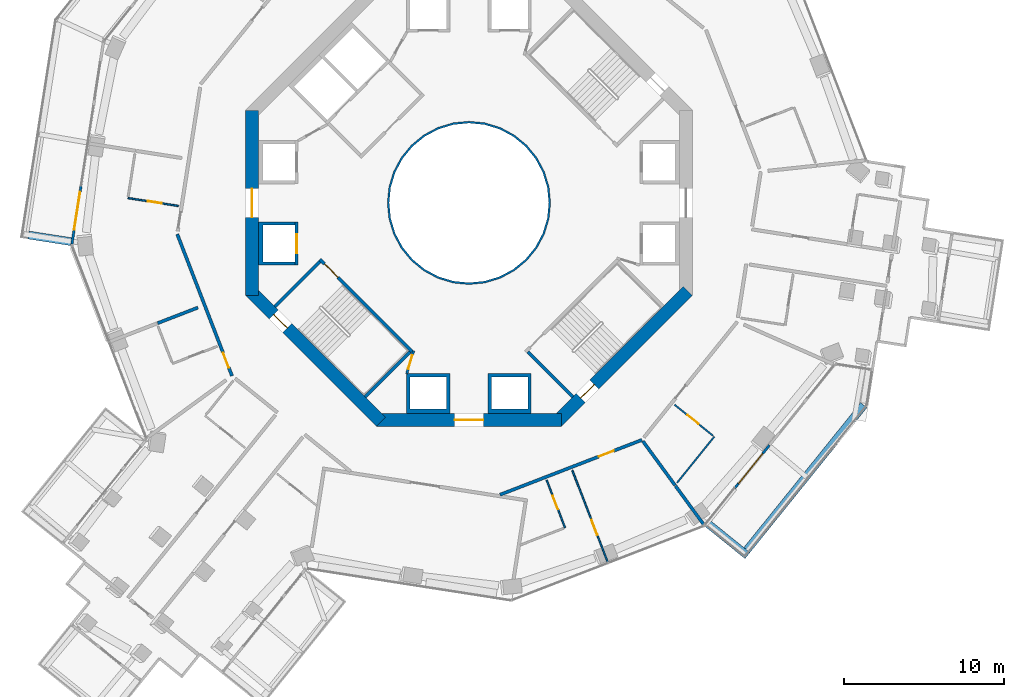
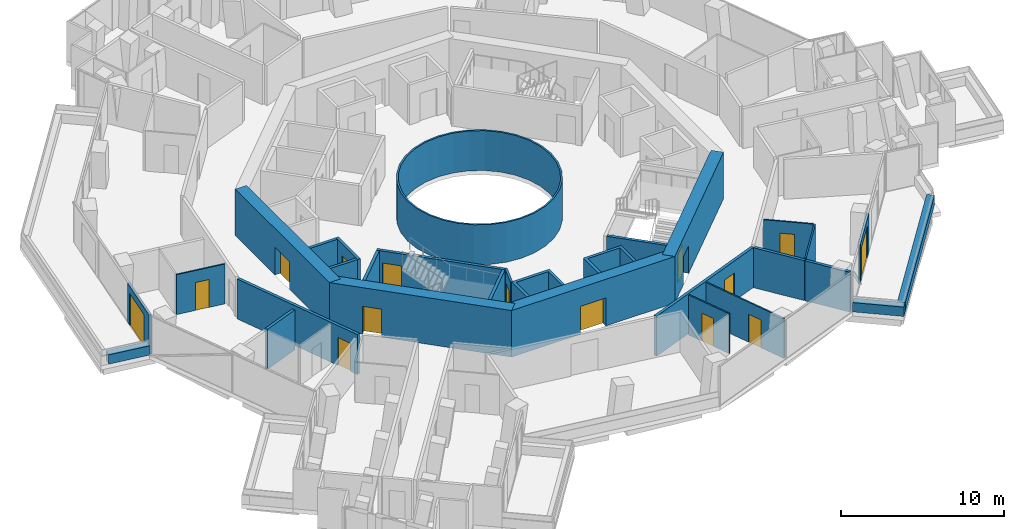
# One storey, part 16 of 23: 29 walls, 15 doors, 15 openings.
"""IFC4 building model written with IfcOpenShell, lengths in metres."""

from ifc_helpers import new_model, si_unit, direction, frame, frame_2d, origin, place, context, subcontext, project, spatial, polyline, rectangle, outline, extrude, material, layer, layer_set, type_object, element, fill, save


model = new_model("IFC4")

# Units and contexts
model_context = context("Model", 3, precision=1e-05, world=origin(), true_north=direction((0.0, 1.0)))
body_context = subcontext(model_context, "Body", "Model", "MODEL_VIEW")
ifc_project = project(units=[si_unit("LENGTHUNIT", "METRE"), si_unit("AREAUNIT", "SQUARE_METRE"), si_unit("VOLUMEUNIT", "CUBIC_METRE"), si_unit("PLANEANGLEUNIT", "RADIAN"), si_unit("MASSUNIT", "GRAM", prefix="KILO")], contexts=[model_context])

# Site, building, storey
site_placement = place(None, origin())
site = spatial("IfcSite", under=ifc_project, at=site_placement, CompositionType="ELEMENT")
building_placement = place(site_placement, origin())
building = spatial("IfcBuilding", under=site, at=building_placement, Name="Verdalira Terraces Hotel", CompositionType="ELEMENT")
storey_placement = place(building_placement, frame((0.0, 0.0, 118.5)))
storey = spatial("IfcBuildingStorey", under=building, at=storey_placement, Name="L28", CompositionType="ELEMENT", Elevation=118.5)

# Walls
ifc_material_1 = material(Name="Fire-resisting glass EI 180", Category="glass")
ifc_layer_1 = layer(ifc_material_1, 0.1201171875)
ifc_layer_set_1 = layer_set([ifc_layer_1], Name="Atrium fire screen 120 mm")
wall_type_1 = type_object("IfcWallType", Name="Atrium fire screen 120 mm", PredefinedType="SOLIDWALL", material=ifc_layer_set_1)
wall_1_placement = place(storey_placement, origin())
element("IfcWall", 1, at=wall_1_placement, inside=storey, type_object=wall_type_1, Name="Atrium fire screen", PredefinedType="SOLIDWALL", context=body_context, shape_type="SweptSolid", body=[
    extrude(outline(polyline([(5.021484, -0.998779), (4.730225, -1.959229), (4.25708, -2.844482), (3.620361, -3.620361), (2.844482, -4.25708), (1.959229, -4.730225), (0.998779, -5.021484), (0.0, -5.120117), (-0.998779, -5.021484), (-1.959229, -4.730225), (-2.844482, -4.25708), (-3.620361, -3.620361), (-4.25708, -2.844482), (-4.730225, -1.959229), (-5.021484, -0.998779), (-5.120117, 0.0), (-5.021484, 0.998779), (-4.730225, 1.959229), (-4.25708, 2.844482), (-3.620361, 3.620361), (-2.844482, 4.25708), (-1.959229, 4.730225), (-0.998779, 5.021484), (0.0, 5.120117), (0.998779, 5.021484), (1.959229, 4.730225), (2.844482, 4.25708), (3.620361, 3.620361), (4.25708, 2.844482), (4.730225, 1.959229), (5.021484, 0.998779), (5.120117, 0.0), (5.021484, -0.998779)]), holes=[polyline([(4.903809, 0.975586), (4.619385, 1.91333), (4.157227, 2.777832), (3.5354, 3.5354), (2.777832, 4.157227), (1.91333, 4.619385), (0.975586, 4.903809), (0.0, 5.0), (-0.975586, 4.903809), (-1.91333, 4.619385), (-2.777832, 4.157227), (-3.5354, 3.5354), (-4.157227, 2.777832), (-4.619385, 1.91333), (-4.903809, 0.975586), (-5.0, 0.0), (-4.903809, -0.975586), (-4.619385, -1.91333), (-4.157227, -2.777832), (-3.5354, -3.5354), (-2.777832, -4.157227), (-1.91333, -4.619385), (-0.975586, -4.903809), (0.0, -5.0), (0.975586, -4.903809), (1.91333, -4.619385), (2.777832, -4.157227), (3.5354, -3.5354), (4.157227, -2.777832), (4.619385, -1.91333), (4.903809, -0.975586), (5.0, 0.0), (4.903809, 0.975586)])]), origin(), (0.0, 0.0, 1.0), 3.0),
])
ifc_material_2 = material(Name="Concrete C40", Category="concrete")
ifc_layer_2 = layer(ifc_material_2, 0.5)
ifc_layer_set_2 = layer_set([ifc_layer_2], Name="Balcony planter trough with tree")
wall_type_2 = type_object("IfcWallType", Name="Balcony planter trough with tree", PredefinedType="SOLIDWALL", material=ifc_layer_set_2)
wall_2_placement = place(storey_placement, frame((-27.600098, -2.013672, 0.0), z_axis=(0.0, 0.0, 1.0), x_axis=(0.988021948, -0.154313416, 0.0)))
element("IfcWall", 2, at=wall_2_placement, inside=storey, type_object=wall_type_2, Name="Balcony planter", PredefinedType="SOLIDWALL", context=body_context, shape_type="SweptSolid", body=[
    extrude(rectangle(XDim=2.698975, YDim=0.5, at=frame_2d((1.349609, 0.0))), origin(), (0.0, 0.0, 1.0), 0.699951),
])
wall_3_placement = place(storey_placement, frame((14.961914, -20.092773, 0.0), z_axis=(0.0, 0.0, 1.0), x_axis=(0.778443113, -0.627715158, 0.0)))
element("IfcWall", 3, at=wall_3_placement, inside=storey, type_object=wall_type_2, Name="Balcony planter", PredefinedType="SOLIDWALL", context=body_context, shape_type="SweptSolid", body=[
    extrude(rectangle(XDim=3.198975, YDim=0.5, at=frame_2d((1.599609, 0.0))), origin(), (0.0, 0.0, 1.0), 0.699951),
])
wall_4_placement = place(storey_placement, frame((17.414551, -21.749268, 0.0), z_axis=(0.0, 0.0, 1.0), x_axis=(0.627680422, 0.778471122, 0.0)))
element("IfcWall", 4, at=wall_4_placement, inside=storey, type_object=wall_type_2, Name="Balcony planter", PredefinedType="SOLIDWALL", context=body_context, shape_type="SweptSolid", body=[
    extrude(rectangle(XDim=11.660645, YDim=0.5, at=frame_2d((5.830322, 0.0))), origin(), (0.0, 0.0, 1.0), 0.699951),
])

# Wall, opening, door
ifc_material_3 = material(Name="Moisture-resistant gypsum board partition")
ifc_layer_3 = layer(ifc_material_3, 0.10009765625)
ifc_layer_set_3 = layer_set([ifc_layer_3], Name="Bathroom partition 100 mm")
wall_type_3 = type_object("IfcWallType", Name="Bathroom partition 100 mm", PredefinedType="PARTITIONING", material=ifc_layer_set_3)
wall_5_placement = place(storey_placement, frame((-21.36792, 0.302002, 0.0), z_axis=(0.0, 0.0, 1.0), x_axis=(0.988017124, -0.154344297, 0.0)))
wall_5 = element("IfcWall", 5, at=wall_5_placement, inside=storey, type_object=wall_type_3, Name="Bathroom partition", PredefinedType="PARTITIONING", context=body_context, shape_type="SweptSolid", body=[
    extrude(rectangle(XDim=3.199951, YDim=0.100098, at=frame_2d((1.600098, 0.0))), origin(), (0.0, 0.0, 1.0), 3.0),
])
opening_1_placement = place(wall_5_placement, frame((1.25, 0.0, 0.0)))
opening_1 = element("IfcOpeningElement", 6, at=opening_1_placement, cuts=wall_5, Name="Opening L28-109", PredefinedType="OPENING", context=body_context, shape_type="SweptSolid", body=[
    extrude(rectangle(XDim=0.899902, YDim=2.100098, at=frame_2d((0.449951, 1.050049))), frame((0.0, 0.060059, 0.0), z_axis=(0.0, -1.0, 0.0), x_axis=(1.0, 0.0, 0.0)), (0.0, 0.0, 1.0), 0.120117),
])
ifc_material_4 = material(Name="Timber door", Category="wood")
door_type_1 = type_object("IfcDoorType", Name="Bathroom door 900 x 2100", OperationType="NOTDEFINED", PredefinedType="DOOR", material=ifc_material_4)
door_1_placement = place(opening_1_placement, origin())
door_1 = element("IfcDoor", 7, at=door_1_placement, inside=storey, type_object=door_type_1, Name="Bathroom door 2804", OperationType="SINGLE_SWING_LEFT", OverallHeight=2.10009765625, OverallWidth=0.89990234375, PredefinedType="DOOR", context=body_context, shape_type="SweptSolid", body=[
    extrude(rectangle(XDim=0.899902, YDim=2.100098, at=frame_2d((0.449951, 1.050049))), frame((0.0, 0.024902, 0.0), z_axis=(0.0, -1.0, 0.0), x_axis=(1.0, 0.0, 0.0)), (0.0, 0.0, 1.0), 0.050049),
])
fill(opening_1, door_1)

wall_6_placement = place(storey_placement, frame((6.020996, -20.356201, 0.0), z_axis=(0.0, 0.0, 1.0), x_axis=(-0.360328369, 0.932825528, 0.0)))
wall_6 = element("IfcWall", 8, at=wall_6_placement, inside=storey, type_object=wall_type_3, Name="Bathroom partition", PredefinedType="PARTITIONING", context=body_context, shape_type="SweptSolid", body=[
    extrude(rectangle(XDim=3.199951, YDim=0.100098, at=frame_2d((1.600098, 0.0))), origin(), (0.0, 0.0, 1.0), 3.0),
])
opening_2_placement = place(wall_6_placement, frame((1.25, 0.0, 0.0)))
opening_2 = element("IfcOpeningElement", 9, at=opening_2_placement, cuts=wall_6, Name="Opening L28-119", PredefinedType="OPENING", context=body_context, shape_type="SweptSolid", body=[
    extrude(rectangle(XDim=0.899902, YDim=2.100098, at=frame_2d((0.449951, 1.050049))), frame((0.0, 0.060059, 0.0), z_axis=(0.0, -1.0, 0.0), x_axis=(1.0, 0.0, 0.0)), (0.0, 0.0, 1.0), 0.120117),
])
door_2_placement = place(opening_2_placement, origin())
door_2 = element("IfcDoor", 10, at=door_2_placement, inside=storey, type_object=door_type_1, Name="Bathroom door 2809", OperationType="SINGLE_SWING_LEFT", OverallHeight=2.10009765625, OverallWidth=0.89990234375, PredefinedType="DOOR", context=body_context, shape_type="SweptSolid", body=[
    extrude(rectangle(XDim=0.899902, YDim=2.100098, at=frame_2d((0.449951, 1.050049))), frame((0.0, 0.024902, 0.0), z_axis=(0.0, -1.0, 0.0), x_axis=(1.0, 0.0, 0.0)), (0.0, 0.0, 1.0), 0.050049),
])
fill(opening_2, door_2)

wall_7_placement = place(storey_placement, frame((8.686768, -22.489014, 0.0), z_axis=(0.0, 0.0, 1.0), x_axis=(-0.360324702, 0.932826945, 0.0)))
wall_7 = element("IfcWall", 11, at=wall_7_placement, inside=storey, type_object=wall_type_3, Name="Bathroom partition", PredefinedType="PARTITIONING", context=body_context, shape_type="SweptSolid", body=[
    extrude(rectangle(XDim=6.150146, YDim=0.100098, at=frame_2d((3.075195, 0.0))), origin(), (0.0, 0.0, 1.0), 3.0),
])
opening_3_placement = place(wall_7_placement, frame((1.800049, 0.0, 0.0)))
opening_3 = element("IfcOpeningElement", 12, at=opening_3_placement, cuts=wall_7, Name="Opening L28-118", PredefinedType="OPENING", context=body_context, shape_type="SweptSolid", body=[
    extrude(rectangle(XDim=1.0, YDim=2.100098, at=frame_2d((0.5, 1.050049))), frame((0.0, 0.060059, 0.0), z_axis=(0.0, -1.0, 0.0), x_axis=(1.0, 0.0, 0.0)), (0.0, 0.0, 1.0), 0.120117),
])
ifc_material_5 = material(Name="Timber door", Category="wood")
door_type_2 = type_object("IfcDoorType", Name="Suite internal door 1000 x 2100", OperationType="NOTDEFINED", PredefinedType="DOOR", material=ifc_material_5)
door_3_placement = place(opening_3_placement, origin())
door_3 = element("IfcDoor", 13, at=door_3_placement, inside=storey, type_object=door_type_2, Name="Suite internal door 2809", OperationType="SINGLE_SWING_LEFT", OverallHeight=2.10009765625, OverallWidth=1.0, PredefinedType="DOOR", context=body_context, shape_type="SweptSolid", body=[
    extrude(rectangle(XDim=1.0, YDim=2.100098, at=frame_2d((0.5, 1.050049))), frame((0.0, 0.024902, 0.0), z_axis=(0.0, -1.0, 0.0), x_axis=(1.0, 0.0, 0.0)), (0.0, 0.0, 1.0), 0.050049),
])
fill(opening_3, door_3)

wall_8_placement = place(storey_placement, frame((15.289307, -14.586914, 0.0), z_axis=(0.0, 0.0, 1.0), x_axis=(-0.778450282, 0.627706268, 0.0)))
wall_8 = element("IfcWall", 14, at=wall_8_placement, inside=storey, type_object=wall_type_3, Name="Bathroom partition", PredefinedType="PARTITIONING", context=body_context, shape_type="SweptSolid", body=[
    extrude(rectangle(XDim=3.099854, YDim=0.100098, at=frame_2d((1.549805, 0.0))), origin(), (0.0, 0.0, 1.0), 3.0),
])
opening_4_placement = place(wall_8_placement, frame((1.149902, 0.0, 0.0)))
opening_4 = element("IfcOpeningElement", 15, at=opening_4_placement, cuts=wall_8, Name="Opening L28-121", PredefinedType="OPENING", context=body_context, shape_type="SweptSolid", body=[
    extrude(rectangle(XDim=0.899902, YDim=2.100098, at=frame_2d((0.449951, 1.050049))), frame((0.0, 0.060059, 0.0), z_axis=(0.0, -1.0, 0.0), x_axis=(1.0, 0.0, 0.0)), (0.0, 0.0, 1.0), 0.120117),
])
door_4_placement = place(opening_4_placement, origin())
door_4 = element("IfcDoor", 16, at=door_4_placement, inside=storey, type_object=door_type_1, Name="Bathroom door 2810", OperationType="SINGLE_SWING_LEFT", OverallHeight=2.10009765625, OverallWidth=0.89990234375, PredefinedType="DOOR", context=body_context, shape_type="SweptSolid", body=[
    extrude(rectangle(XDim=0.899902, YDim=2.100098, at=frame_2d((0.449951, 1.050049))), frame((0.0, 0.024902, 0.0), z_axis=(0.0, -1.0, 0.0), x_axis=(1.0, 0.0, 0.0)), (0.0, 0.0, 1.0), 0.050049),
])
fill(opening_4, door_4)

# Walls
wall_9_placement = place(storey_placement, frame((15.367188, -14.649658, 0.0), z_axis=(0.0, 0.0, 1.0), x_axis=(-0.627672573, -0.778477451, 0.0)))
element("IfcWall", 17, at=wall_9_placement, inside=storey, type_object=wall_type_3, Name="Bathroom partition", PredefinedType="PARTITIONING", context=body_context, shape_type="SweptSolid", body=[
    extrude(rectangle(XDim=3.704102, YDim=0.100098, at=frame_2d((1.852051, 0.0))), origin(), (0.0, 0.0, 1.0), 3.0),
])
ifc_material_6 = material(Name="Concrete C50", Category="concrete")
ifc_layer_4 = layer(ifc_material_6, 0.199951171875)
ifc_layer_set_4 = layer_set([ifc_layer_4], Name="Core RC wall 200 C50")
wall_type_4 = type_object("IfcWallType", Name="Core RC wall 200 C50", PredefinedType="SOLIDWALL", material=ifc_layer_set_4)
wall_10_placement = place(storey_placement, origin())
element("IfcWall", 18, at=wall_10_placement, inside=storey, type_object=wall_type_4, Name="L28 shaft wall W2", PredefinedType="SOLIDWALL", context=body_context, shape_type="SweptSolid", body=[
    extrude(outline(polyline([(-13.199951, -3.899902), (-13.199951, -1.199951), (-10.899902, -1.199951), (-10.899902, -1.399902), (-12.899902, -1.399902), (-12.899902, -3.699951), (-10.899902, -3.699951), (-10.899902, -3.899902), (-13.199951, -3.899902)])), origin(), (0.0, 0.0, 1.0), 3.0),
])

# Wall, opening, door
wall_11_placement = place(storey_placement, frame((-10.800049, -1.199951, 0.0), z_axis=(0.0, 0.0, 1.0), x_axis=(0.0, -1.0, 0.0)))
wall_11 = element("IfcWall", 19, at=wall_11_placement, inside=storey, type_object=wall_type_4, Name="L28 shaft front wall W2", PredefinedType="SOLIDWALL", context=body_context, shape_type="SweptSolid", body=[
    extrude(rectangle(XDim=2.699951, YDim=0.199951, at=frame_2d((1.350098, 0.0))), origin(), (0.0, 0.0, 1.0), 3.0),
])
opening_5_placement = place(wall_11_placement, frame((0.75, 0.0, 0.0)))
opening_5 = element("IfcOpeningElement", 20, at=opening_5_placement, cuts=wall_11, Name="Opening LD-L28-806", PredefinedType="OPENING", context=body_context, shape_type="SweptSolid", body=[
    extrude(rectangle(XDim=1.199951, YDim=2.100098, at=frame_2d((0.600098, 1.050049))), frame((0.0, 0.109863, 0.0), z_axis=(0.0, -1.0, 0.0), x_axis=(1.0, 0.0, 0.0)), (0.0, 0.0, 1.0), 0.219971),
])
ifc_material_7 = material(Name="Stainless steel", Category="steel")
door_type_3 = type_object("IfcDoorType", Name="Landing door 1200 x 2100", OperationType="NOTDEFINED", PredefinedType="DOOR", material=ifc_material_7)
door_5_placement = place(opening_5_placement, origin())
door_5 = element("IfcDoor", 21, at=door_5_placement, inside=storey, type_object=door_type_3, Name="Lift landing door LR6 L28", OperationType="DOUBLE_DOOR_SLIDING", OverallHeight=2.10009765625, OverallWidth=1.199951171875, PredefinedType="DOOR", context=body_context, shape_type="SweptSolid", body=[
    extrude(rectangle(XDim=1.199951, YDim=2.100098, at=frame_2d((0.600098, 1.050049))), frame((0.0, 0.024902, 0.0), z_axis=(0.0, -1.0, 0.0), x_axis=(1.0, 0.0, 0.0)), (0.0, 0.0, 1.0), 0.050049),
])
fill(opening_5, door_5)

# Walls
wall_12_placement = place(storey_placement, origin())
element("IfcWall", 22, at=wall_12_placement, inside=storey, type_object=wall_type_4, Name="L28 shaft wall S1", PredefinedType="SOLIDWALL", context=body_context, shape_type="SweptSolid", body=[
    extrude(outline(polyline([(-1.199951, -13.199951), (-3.899902, -13.199951), (-3.899902, -10.699951), (-1.199951, -10.699951), (-1.199951, -13.199951)]), holes=[polyline([(-3.699951, -10.899902), (-3.699951, -12.899902), (-1.399902, -12.899902), (-1.399902, -10.899902), (-3.699951, -10.899902)])]), origin(), (0.0, 0.0, 1.0), 3.0),
])
wall_13_placement = place(storey_placement, origin())
element("IfcWall", 23, at=wall_13_placement, inside=storey, type_object=wall_type_4, Name="L28 shaft wall S2", PredefinedType="SOLIDWALL", context=body_context, shape_type="SweptSolid", body=[
    extrude(outline(polyline([(3.899902, -10.699951), (3.899902, -13.199951), (1.199951, -13.199951), (1.199951, -10.699951), (3.899902, -10.699951)]), holes=[polyline([(1.399902, -12.899902), (3.699951, -12.899902), (3.699951, -10.899902), (1.399902, -10.899902), (1.399902, -12.899902)])]), origin(), (0.0, 0.0, 1.0), 3.0),
])

# Wall, opening, door
wall_14_placement = place(storey_placement, frame((-3.5354, -9.33374, 0.0), z_axis=(0.0, 0.0, 1.0), x_axis=(-0.707106781, 0.707106781, 0.0)))
wall_14 = element("IfcWall", 24, at=wall_14_placement, inside=storey, type_object=wall_type_4, Name="L28 stair ST2 front wall", PredefinedType="SOLIDWALL", context=body_context, shape_type="SweptSolid", body=[
    extrude(rectangle(XDim=8.200195, YDim=0.199951, at=frame_2d((4.100098, 0.0))), origin(), (0.0, 0.0, 1.0), 3.0),
])
opening_6_placement = place(wall_14_placement, frame((6.600098, 0.0, 0.0)))
opening_6 = element("IfcOpeningElement", 25, at=opening_6_placement, cuts=wall_14, Name="Opening L28-810", PredefinedType="OPENING", context=body_context, shape_type="SweptSolid", body=[
    extrude(rectangle(XDim=1.199951, YDim=2.100098, at=frame_2d((0.600098, 1.050049))), frame((0.0, 0.109863, 0.0), z_axis=(0.0, -1.0, 0.0), x_axis=(1.0, 0.0, 0.0)), (0.0, 0.0, 1.0), 0.219971),
])
ifc_material_8 = material(Name="Steel fire door", Category="steel")
door_type_4 = type_object("IfcDoorType", Name="Stair door 1200 x 2100", OperationType="NOTDEFINED", PredefinedType="DOOR", material=ifc_material_8)
door_6_placement = place(opening_6_placement, origin())
door_6 = element("IfcDoor", 26, at=door_6_placement, inside=storey, type_object=door_type_4, Name="Stair door ST2 L28", OperationType="SINGLE_SWING_RIGHT", OverallHeight=2.10009765625, OverallWidth=1.199951171875, PredefinedType="DOOR", context=body_context, shape_type="SweptSolid", body=[
    extrude(rectangle(XDim=1.199951, YDim=2.100098, at=frame_2d((0.600098, 1.050049))), frame((0.0, 0.024902, 0.0), z_axis=(0.0, -1.0, 0.0), x_axis=(1.0, 0.0, 0.0)), (0.0, 0.0, 1.0), 0.050049),
])
fill(opening_6, door_6)

# Walls
for number, where, z_axis, x_axis, name in (
    (27, (-9.33374, -3.677002, 0.0), (0.0, 0.0, 1.0), (-0.707106781, -0.707106781, 0.0), "L28 stair ST2 end wall 1"),
    (28, (-3.677002, -9.33374, 0.0), (0.0, 0.0, 1.0), (-0.707106781, -0.707106781, 0.0), "L28 stair ST2 end wall 2"),
    (29, (3.677002, -9.33374, 0.0), (0.0, 0.0, 1.0), (0.707106781, -0.707106781, 0.0), "L28 stair ST3 end wall 1"),
):
    element("IfcWall", number, at=place(storey_placement, frame(where, z_axis=z_axis, x_axis=x_axis)), inside=storey, type_object=wall_type_4, Name=name, PredefinedType="SOLIDWALL", context=body_context, shape_type="SweptSolid", body=[
        extrude(rectangle(XDim=4.0, YDim=0.199951, at=frame_2d((2.0, 0.0))), origin(), (0.0, 0.0, 1.0), 3.0),
    ])

# Wall, opening, door
ifc_material_9 = material(Name="Gypsum board partition")
ifc_layer_5 = layer(ifc_material_9, 0.14990234375)
ifc_layer_set_5 = layer_set([ifc_layer_5], Name="Core partition 150 mm")
wall_type_5 = type_object("IfcWallType", Name="Core partition 150 mm", PredefinedType="PARTITIONING", material=ifc_layer_set_5)
wall_15_placement = place(storey_placement, frame((-3.464844, -9.263184, 0.0), z_axis=(0.0, 0.0, 1.0), x_axis=(-0.289808785, -0.957084567, 0.0)))
wall_15 = element("IfcWall", 30, at=wall_15_placement, inside=storey, type_object=wall_type_5, Name="Room partition L28", PredefinedType="PARTITIONING", context=body_context, shape_type="SweptSolid", body=[
    extrude(rectangle(XDim=1.501221, YDim=0.149902, at=frame_2d((0.750488, 0.0))), origin(), (0.0, 0.0, 1.0), 3.0),
])
opening_7_placement = place(wall_15_placement, frame((0.300781, 0.0, 0.0)))
opening_7 = element("IfcOpeningElement", 31, at=opening_7_placement, cuts=wall_15, Name="Opening L28-823", PredefinedType="OPENING", context=body_context, shape_type="SweptSolid", body=[
    extrude(rectangle(XDim=0.899902, YDim=2.100098, at=frame_2d((0.449951, 1.050049))), frame((0.0, 0.084961, 0.0), z_axis=(0.0, -1.0, 0.0), x_axis=(1.0, 0.0, 0.0)), (0.0, 0.0, 1.0), 0.169922),
])
ifc_material_10 = material(Name="Steel fire door", Category="steel")
door_type_5 = type_object("IfcDoorType", Name="Core room door 900 x 2100", OperationType="NOTDEFINED", PredefinedType="DOOR", material=ifc_material_10)
door_7_placement = place(opening_7_placement, origin())
door_7 = element("IfcDoor", 32, at=door_7_placement, inside=storey, type_object=door_type_5, Name="Door L28 room5", OperationType="SINGLE_SWING_LEFT", OverallHeight=2.10009765625, OverallWidth=0.89990234375, PredefinedType="DOOR", context=body_context, shape_type="SweptSolid", body=[
    extrude(rectangle(XDim=0.899902, YDim=2.100098, at=frame_2d((0.449951, 1.050049))), frame((0.0, 0.024902, 0.0), z_axis=(0.0, -1.0, 0.0), x_axis=(1.0, 0.0, 0.0)), (0.0, 0.0, 1.0), 0.050049),
])
fill(opening_7, door_7)

ifc_material_11 = material(Name="Concrete C70", Category="concrete")
ifc_layer_6 = layer(ifc_material_11, 0.800048828125)
ifc_layer_set_6 = layer_set([ifc_layer_6], Name="Core wall 800 C70")
wall_type_6 = type_object("IfcWallType", Name="Core wall 800 C70", PredefinedType="SHEAR", material=ifc_layer_set_6)
wall_16_placement = place(storey_placement, frame((-13.600098, 5.799072, 0.0), z_axis=(0.0, 0.0, 1.0), x_axis=(0.0, -1.0, 0.0)))
wall_16 = element("IfcWall", 33, at=wall_16_placement, inside=storey, type_object=wall_type_6, Name="Core wall CW-L28-5", PredefinedType="SHEAR", context=body_context, shape_type="SweptSolid", body=[
    extrude(rectangle(XDim=11.598145, YDim=0.800049, at=frame_2d((5.799072, 0.0))), origin(), (0.0, 0.0, 1.0), 3.5),
])
opening_8_placement = place(wall_16_placement, frame((4.898926, 0.0, 0.0)))
opening_8 = element("IfcOpeningElement", 34, at=opening_8_placement, cuts=wall_16, Name="Opening L28-814", PredefinedType="OPENING", context=body_context, shape_type="SweptSolid", body=[
    extrude(rectangle(XDim=1.800049, YDim=2.100098, at=frame_2d((0.899902, 1.050049))), frame((0.0, 0.409912, 0.0), z_axis=(0.0, -1.0, 0.0), x_axis=(1.0, 0.0, 0.0)), (0.0, 0.0, 1.0), 0.820068),
])
ifc_material_12 = material(Name="Steel fire door", Category="steel")
door_type_6 = type_object("IfcDoorType", Name="Core entry door pair 1800 x 2100", OperationType="NOTDEFINED", PredefinedType="DOOR", material=ifc_material_12)
door_8_placement = place(opening_8_placement, origin())
door_8 = element("IfcDoor", 35, at=door_8_placement, inside=storey, type_object=door_type_6, Name="Core entry door L28 4", OperationType="DOUBLE_DOOR_SINGLE_SWING", OverallHeight=2.10009765625, OverallWidth=1.800048828125, PredefinedType="DOOR", context=body_context, shape_type="SweptSolid", body=[
    extrude(rectangle(XDim=1.800049, YDim=2.100098, at=frame_2d((0.899902, 1.050049))), frame((0.0, 0.024902, 0.0), z_axis=(0.0, -1.0, 0.0), x_axis=(1.0, 0.0, 0.0)), (0.0, 0.0, 1.0), 0.050049),
])
fill(opening_8, door_8)

wall_17_placement = place(storey_placement, frame((-13.717285, -5.516113, 0.0), z_axis=(0.0, 0.0, 1.0), x_axis=(0.707106781, -0.707106781, 0.0)))
wall_17 = element("IfcWall", 36, at=wall_17_placement, inside=storey, type_object=wall_type_6, Name="Core wall CW-L28-6", PredefinedType="SHEAR", context=body_context, shape_type="SweptSolid", body=[
    extrude(rectangle(XDim=11.598145, YDim=0.800049, at=frame_2d((5.799072, 0.0))), origin(), (0.0, 0.0, 1.0), 3.5),
])
opening_9_placement = place(wall_17_placement, frame((2.099121, 0.0, 0.0)))
opening_9 = element("IfcOpeningElement", 37, at=opening_9_placement, cuts=wall_17, Name="Opening L28-817", PredefinedType="OPENING", context=body_context, shape_type="SweptSolid", body=[
    extrude(rectangle(XDim=1.199951, YDim=2.100098, at=frame_2d((0.600098, 1.050049))), frame((0.0, 0.409912, 0.0), z_axis=(0.0, -1.0, 0.0), x_axis=(1.0, 0.0, 0.0)), (0.0, 0.0, 1.0), 0.820068),
])
door_9_placement = place(opening_9_placement, origin())
door_9 = element("IfcDoor", 38, at=door_9_placement, inside=storey, type_object=door_type_4, Name="Stair exit door ST2 L28", OperationType="SINGLE_SWING_LEFT", OverallHeight=2.10009765625, OverallWidth=1.199951171875, PredefinedType="DOOR", context=body_context, shape_type="SweptSolid", body=[
    extrude(rectangle(XDim=1.199951, YDim=2.100098, at=frame_2d((0.600098, 1.050049))), frame((0.0, 0.024902, 0.0), z_axis=(0.0, -1.0, 0.0), x_axis=(1.0, 0.0, 0.0)), (0.0, 0.0, 1.0), 0.050049),
])
fill(opening_9, door_9)

wall_18_placement = place(storey_placement, frame((-5.799072, -13.600098, 0.0), z_axis=(0.0, 0.0, 1.0), x_axis=(1.0, 0.0, 0.0)))
wall_18 = element("IfcWall", 39, at=wall_18_placement, inside=storey, type_object=wall_type_6, Name="Core wall CW-L28-7", PredefinedType="SHEAR", context=body_context, shape_type="SweptSolid", body=[
    extrude(rectangle(XDim=11.598145, YDim=0.800049, at=frame_2d((5.799072, 0.0))), origin(), (0.0, 0.0, 1.0), 3.5),
])
opening_10_placement = place(wall_18_placement, frame((4.898926, 0.0, 0.0)))
opening_10 = element("IfcOpeningElement", 40, at=opening_10_placement, cuts=wall_18, Name="Opening L28-815", PredefinedType="OPENING", context=body_context, shape_type="SweptSolid", body=[
    extrude(rectangle(XDim=1.800049, YDim=2.100098, at=frame_2d((0.899902, 1.050049))), frame((0.0, 0.409912, 0.0), z_axis=(0.0, -1.0, 0.0), x_axis=(1.0, 0.0, 0.0)), (0.0, 0.0, 1.0), 0.820068),
])
door_10_placement = place(opening_10_placement, origin())
door_10 = element("IfcDoor", 41, at=door_10_placement, inside=storey, type_object=door_type_6, Name="Core entry door L28 6", OperationType="DOUBLE_DOOR_SINGLE_SWING", OverallHeight=2.10009765625, OverallWidth=1.800048828125, PredefinedType="DOOR", context=body_context, shape_type="SweptSolid", body=[
    extrude(rectangle(XDim=1.800049, YDim=2.100098, at=frame_2d((0.899902, 1.050049))), frame((0.0, 0.024902, 0.0), z_axis=(0.0, -1.0, 0.0), x_axis=(1.0, 0.0, 0.0)), (0.0, 0.0, 1.0), 0.050049),
])
fill(opening_10, door_10)

wall_19_placement = place(storey_placement, frame((5.516113, -13.717285, 0.0), z_axis=(0.0, 0.0, 1.0), x_axis=(0.707106781, 0.707106781, 0.0)))
wall_19 = element("IfcWall", 42, at=wall_19_placement, inside=storey, type_object=wall_type_6, Name="Core wall CW-L28-8", PredefinedType="SHEAR", context=body_context, shape_type="SweptSolid", body=[
    extrude(rectangle(XDim=11.598145, YDim=0.800049, at=frame_2d((5.799072, 0.0))), origin(), (0.0, 0.0, 1.0), 3.5),
])
opening_11_placement = place(wall_19_placement, frame((2.099121, 0.0, 0.0)))
opening_11 = element("IfcOpeningElement", 43, at=opening_11_placement, cuts=wall_19, Name="Opening L28-818", PredefinedType="OPENING", context=body_context, shape_type="SweptSolid", body=[
    extrude(rectangle(XDim=1.199951, YDim=2.100098, at=frame_2d((0.600098, 1.050049))), frame((0.0, 0.409912, 0.0), z_axis=(0.0, -1.0, 0.0), x_axis=(1.0, 0.0, 0.0)), (0.0, 0.0, 1.0), 0.820068),
])
door_11_placement = place(opening_11_placement, origin())
door_11 = element("IfcDoor", 44, at=door_11_placement, inside=storey, type_object=door_type_4, Name="Stair exit door ST3 L28", OperationType="SINGLE_SWING_LEFT", OverallHeight=2.10009765625, OverallWidth=1.199951171875, PredefinedType="DOOR", context=body_context, shape_type="SweptSolid", body=[
    extrude(rectangle(XDim=1.199951, YDim=2.100098, at=frame_2d((0.600098, 1.050049))), frame((0.0, 0.024902, 0.0), z_axis=(0.0, -1.0, 0.0), x_axis=(1.0, 0.0, 0.0)), (0.0, 0.0, 1.0), 0.050049),
])
fill(opening_11, door_11)

# Walls
ifc_material_13 = material(Name="Fire-rated gypsum board wall")
ifc_layer_7 = layer(ifc_material_13, 0.199951171875)
ifc_layer_set_7 = layer_set([ifc_layer_7], Name="Demising wall 200 mm")
wall_type_7 = type_object("IfcWallType", Name="Demising wall 200 mm", PredefinedType="SOLIDWALL", material=ifc_layer_set_7)
wall_20_placement = place(storey_placement, frame((-16.982666, -6.559814, 0.0), z_axis=(0.0, 0.0, 1.0), x_axis=(-0.932818823, -0.360345727, 0.0)))
element("IfcWall", 45, at=wall_20_placement, inside=storey, type_object=wall_type_7, Name="Demising wall", PredefinedType="SOLIDWALL", context=body_context, shape_type="SweptSolid", body=[
    extrude(rectangle(XDim=2.70459, YDim=0.199951, at=frame_2d((1.352295, 0.0))), origin(), (0.0, 0.0, 1.0), 3.0),
])
wall_21_placement = place(storey_placement, frame((10.898438, -14.93457, 0.0), z_axis=(0.0, 0.0, 1.0), x_axis=(0.589504337, -0.807765211, 0.0)))
element("IfcWall", 46, at=wall_21_placement, inside=storey, type_object=wall_type_7, Name="Demising wall", PredefinedType="SOLIDWALL", context=body_context, shape_type="SweptSolid", body=[
    extrude(rectangle(XDim=3.418457, YDim=0.199951, at=frame_2d((1.709229, 0.0))), origin(), (0.0, 0.0, 1.0), 3.0),
])
wall_22_placement = place(storey_placement, frame((12.940674, -17.73291, 0.0), z_axis=(0.0, 0.0, 1.0), x_axis=(0.58946764, -0.807791991, 0.0)))
element("IfcWall", 47, at=wall_22_placement, inside=storey, type_object=wall_type_7, Name="Demising wall", PredefinedType="SOLIDWALL", context=body_context, shape_type="SweptSolid", body=[
    extrude(rectangle(XDim=3.011475, YDim=0.199951, at=frame_2d((1.505859, 0.0))), origin(), (0.0, 0.0, 1.0), 3.0),
])

# Wall, opening, door
ifc_material_14 = material(Name="Fire-rated gypsum board wall")
ifc_layer_8 = layer(ifc_material_14, 0.199951171875)
ifc_layer_set_8 = layer_set([ifc_layer_8], Name="Guest corridor wall 200 mm")
wall_type_8 = type_object("IfcWallType", Name="Guest corridor wall 200 mm", PredefinedType="SOLIDWALL", material=ifc_layer_set_8)
wall_23_placement = place(storey_placement, frame((-14.85083, -10.837402, 0.0), z_axis=(0.0, 0.0, 1.0), x_axis=(-0.360328251, 0.932825574, 0.0)))
wall_23 = element("IfcWall", 48, at=wall_23_placement, inside=storey, type_object=wall_type_8, Name="Guest corridor wall", PredefinedType="SOLIDWALL", context=body_context, shape_type="SweptSolid", body=[
    extrude(rectangle(XDim=9.516113, YDim=0.199951, at=frame_2d((4.758057, 0.0))), origin(), (0.0, 0.0, 1.0), 3.0),
])
opening_12_placement = place(wall_23_placement, frame((0.550049, 0.0, 0.0)))
opening_12 = element("IfcOpeningElement", 49, at=opening_12_placement, cuts=wall_23, Name="Opening L28-110", PredefinedType="OPENING", context=body_context, shape_type="SweptSolid", body=[
    extrude(rectangle(XDim=1.0, YDim=2.100098, at=frame_2d((0.5, 1.050049))), frame((0.0, 0.109863, 0.0), z_axis=(0.0, -1.0, 0.0), x_axis=(1.0, 0.0, 0.0)), (0.0, 0.0, 1.0), 0.219971),
])
ifc_material_15 = material(Name="Timber fire door", Category="wood")
door_type_7 = type_object("IfcDoorType", Name="Guest entry door 1000 x 2100", OperationType="NOTDEFINED", PredefinedType="DOOR", material=ifc_material_15)
door_12_placement = place(opening_12_placement, origin())
door_12 = element("IfcDoor", 50, at=door_12_placement, inside=storey, type_object=door_type_7, Name="Guest entry door 2805", OperationType="SINGLE_SWING_LEFT", OverallHeight=2.10009765625, OverallWidth=1.0, PredefinedType="DOOR", context=body_context, shape_type="SweptSolid", body=[
    extrude(rectangle(XDim=1.0, YDim=2.100098, at=frame_2d((0.5, 1.050049))), frame((0.0, 0.024902, 0.0), z_axis=(0.0, -1.0, 0.0), x_axis=(1.0, 0.0, 0.0)), (0.0, 0.0, 1.0), 0.050049),
])
fill(opening_12, door_12)

wall_24_placement = place(storey_placement, frame((10.837402, -14.85083, 0.0), z_axis=(0.0, 0.0, 1.0), x_axis=(-0.932826689, -0.360325365, 0.0)))
wall_24 = element("IfcWall", 51, at=wall_24_placement, inside=storey, type_object=wall_type_8, Name="Guest corridor wall", PredefinedType="SOLIDWALL", context=body_context, shape_type="SweptSolid", body=[
    extrude(rectangle(XDim=9.536621, YDim=0.199951, at=frame_2d((4.768311, 0.0))), origin(), (0.0, 0.0, 1.0), 3.0),
])
opening_13_placement = place(wall_24_placement, frame((1.899902, 0.0, 0.0)))
opening_13 = element("IfcOpeningElement", 52, at=opening_13_placement, cuts=wall_24, Name="Opening L28-117", PredefinedType="OPENING", context=body_context, shape_type="SweptSolid", body=[
    extrude(rectangle(XDim=1.0, YDim=2.100098, at=frame_2d((0.5, 1.050049))), frame((0.0, 0.109863, 0.0), z_axis=(0.0, -1.0, 0.0), x_axis=(1.0, 0.0, 0.0)), (0.0, 0.0, 1.0), 0.219971),
])
door_13_placement = place(opening_13_placement, origin())
door_13 = element("IfcDoor", 53, at=door_13_placement, inside=storey, type_object=door_type_7, Name="Guest entry door 2809", OperationType="SINGLE_SWING_LEFT", OverallHeight=2.10009765625, OverallWidth=1.0, PredefinedType="DOOR", context=body_context, shape_type="SweptSolid", body=[
    extrude(rectangle(XDim=1.0, YDim=2.100098, at=frame_2d((0.5, 1.050049))), frame((0.0, 0.024902, 0.0), z_axis=(0.0, -1.0, 0.0), x_axis=(1.0, 0.0, 0.0)), (0.0, 0.0, 1.0), 0.050049),
])
fill(opening_13, door_13)

ifc_material_16 = material(Name="Terracotta cladding", Category="masonry")
ifc_layer_9 = layer(ifc_material_16, 0.14990234375)
ifc_layer_set_9 = layer_set([ifc_layer_9], Name="Terracotta door pier 150")
wall_type_9 = type_object("IfcWallType", Name="Terracotta door pier 150", PredefinedType="SOLIDWALL", material=ifc_layer_set_9)
wall_25_placement = place(storey_placement, frame((-24.308594, 1.075684, 0.0), z_axis=(0.0, 0.0, 1.0), x_axis=(-0.154370858, -0.988012975, 0.0)))
wall_25 = element("IfcWall", 54, at=wall_25_placement, inside=storey, type_object=wall_type_9, Name="Terracotta door pier", PredefinedType="SOLIDWALL", context=body_context, shape_type="SweptSolid", body=[
    extrude(rectangle(XDim=3.710205, YDim=0.149902, at=frame_2d((1.85498, 0.0))), origin(), (0.0, 0.0, 1.0), 2.935059),
])
opening_14_placement = place(wall_25_placement, frame((0.399902, 0.0, 0.0)))
opening_14 = element("IfcOpeningElement", 55, at=opening_14_placement, cuts=wall_25, Name="Opening L28-B04", PredefinedType="OPENING", context=body_context, shape_type="SweptSolid", body=[
    extrude(rectangle(XDim=2.399902, YDim=2.399902, at=frame_2d((1.199951, 1.199951))), frame((0.0, 0.084961, 0.0), z_axis=(0.0, -1.0, 0.0), x_axis=(1.0, 0.0, 0.0)), (0.0, 0.0, 1.0), 0.169922),
])
ifc_material_17 = material(Name="Clear glass", Category="glass")
door_type_8 = type_object("IfcDoorType", Name="Balcony sliding door 2400x2400", OperationType="NOTDEFINED", PredefinedType="DOOR", material=ifc_material_17)
door_14_placement = place(opening_14_placement, origin())
door_14 = element("IfcDoor", 56, at=door_14_placement, inside=storey, type_object=door_type_8, Name="Balcony sliding door", OperationType="SLIDING_TO_RIGHT", OverallHeight=2.39990234375, OverallWidth=2.39990234375, PredefinedType="DOOR", context=body_context, shape_type="SweptSolid", body=[
    extrude(rectangle(XDim=2.399902, YDim=2.399902, at=frame_2d((1.199951, 1.199951))), frame((0.0, 0.024902, 0.0), z_axis=(0.0, -1.0, 0.0), x_axis=(1.0, 0.0, 0.0)), (0.0, 0.0, 1.0), 0.050049),
])
fill(opening_14, door_14)

wall_26_placement = place(storey_placement, frame((16.644531, -17.884766, 0.0), z_axis=(0.0, 0.0, 1.0), x_axis=(0.627731853, 0.778429651, 0.0)))
wall_26 = element("IfcWall", 57, at=wall_26_placement, inside=storey, type_object=wall_type_9, Name="Terracotta door pier", PredefinedType="SOLIDWALL", context=body_context, shape_type="SweptSolid", body=[
    extrude(rectangle(XDim=3.475098, YDim=0.149902, at=frame_2d((1.737549, 0.0))), origin(), (0.0, 0.0, 1.0), 2.935059),
])
opening_15_placement = place(wall_26_placement, frame((0.399902, 0.0, 0.0)))
opening_15 = element("IfcOpeningElement", 58, at=opening_15_placement, cuts=wall_26, Name="Opening L28-B09", PredefinedType="OPENING", context=body_context, shape_type="SweptSolid", body=[
    extrude(rectangle(XDim=2.399902, YDim=2.399902, at=frame_2d((1.199951, 1.199951))), frame((0.0, 0.084961, 0.0), z_axis=(0.0, -1.0, 0.0), x_axis=(1.0, 0.0, 0.0)), (0.0, 0.0, 1.0), 0.169922),
])
door_15_placement = place(opening_15_placement, origin())
door_15 = element("IfcDoor", 59, at=door_15_placement, inside=storey, type_object=door_type_8, Name="Balcony sliding door", OperationType="SLIDING_TO_RIGHT", OverallHeight=2.39990234375, OverallWidth=2.39990234375, PredefinedType="DOOR", context=body_context, shape_type="SweptSolid", body=[
    extrude(rectangle(XDim=2.399902, YDim=2.399902, at=frame_2d((1.199951, 1.199951))), frame((0.0, 0.024902, 0.0), z_axis=(0.0, -1.0, 0.0), x_axis=(1.0, 0.0, 0.0)), (0.0, 0.0, 1.0), 0.050049),
])
fill(opening_15, door_15)

save(model, "model.ifc")
